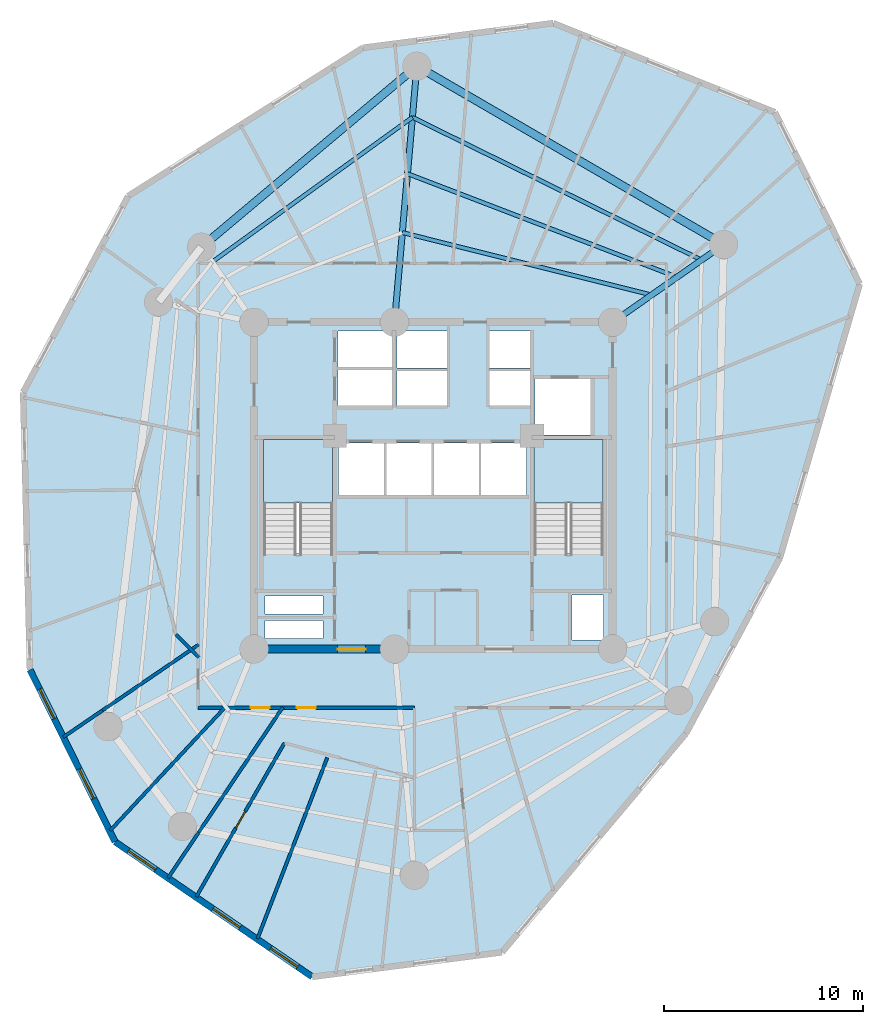
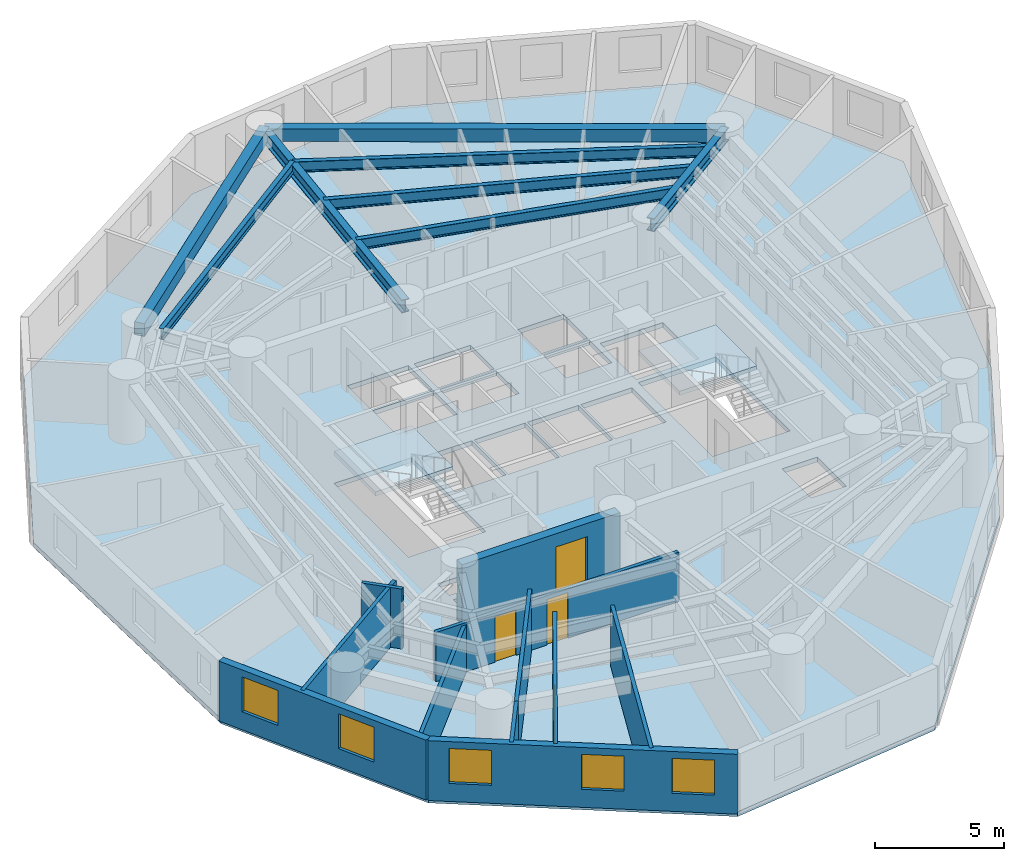
# One storey, part 2 of 8: 12 walls, 8 beams, 5 windows, 4 doors, 3 slabs, 9 openings, 2 elements without a shape of their own.
"""IFC4 building model written with IfcOpenShell, lengths in metres."""

from ifc_helpers import new_model, si_unit, direction, frame, frame_2d, origin, origin_with_axes, origin_2d, place, context, subcontext, project, spatial, polyline, rectangle, i_section, outline, extrude, source, transform, mapped, material, layer, layer_set, material_profile, profile_set, type_object, element, fill, aggregate, save


model = new_model("IFC4")

# Units and contexts
model_context = context("Model", 3, precision=1e-05, world=origin(), true_north=direction((0.0, 1.0)))
body_context = subcontext(model_context, "Body", "Model", "MODEL_VIEW")
ifc_project = project(units=[si_unit("LENGTHUNIT", "METRE"), si_unit("AREAUNIT", "SQUARE_METRE"), si_unit("VOLUMEUNIT", "CUBIC_METRE"), si_unit("PLANEANGLEUNIT", "RADIAN"), si_unit("MASSUNIT", "GRAM", prefix="KILO")], contexts=[model_context])

# Site, building, storey
site_placement = place(None, origin())
site = spatial("IfcSite", under=ifc_project, at=site_placement, CompositionType="ELEMENT")
building_placement = place(site_placement, origin())
building = spatial("IfcBuilding", under=site, at=building_placement, Name="Karkom Vertical University and Central Library", CompositionType="ELEMENT")
storey_placement = place(building_placement, frame((0.0, 0.0, 117.550048828125)))
storey = spatial("IfcBuildingStorey", under=building, at=storey_placement, Name="L32", CompositionType="ELEMENT", Elevation=117.550048828125)

# Beams
ifc_material_1 = material(Name="Precast concrete C45/55", Category="concrete")
ifc_material_profile_1 = material_profile(ifc_material_1, rectangle(XDim=0.39990234375, YDim=0.60009765625, at=origin_2d()), Name="SPB-400x600")
ifc_profile_set_1 = profile_set([ifc_material_profile_1], Name="Precast concrete C45/55")
beam_type_1 = type_object("IfcBeamType", Name="STR-BM-SP-1", PredefinedType="SPANDREL", material=ifc_profile_set_1)
shared_shape_1 = source(origin_with_axes(), body_context, "Body", "SweptSolid", [
    extrude(rectangle(XDim=0.39990234375, YDim=0.60009765625, at=origin_2d()), origin(), (0.0, 0.0, 1.0), 17.808837890625),
])
beam_1_placement = place(storey_placement, frame((43.070068359375, 38.60009765625, 2.52490234375), z_axis=(-0.864512866362, 0.502610688202, 0.0), x_axis=(-0.502610688202, -0.864512866362, 0.0)))
element("IfcBeam", 1, at=beam_1_placement, inside=storey, type_object=beam_type_1, Name="Level 32 Perimeter Spandrel Beam 02", PredefinedType="SPANDREL", context=body_context, shape_type="MappedRepresentation", body=[
    mapped(shared_shape_1, transform((0.0, 0.0, 0.0), scale=1.0)),
])
shared_shape_2 = source(origin_with_axes(), body_context, "Body", "SweptSolid", [
    extrude(rectangle(XDim=0.39990234375, YDim=0.60009765625, at=origin_2d()), origin(), (0.0, 0.0, 1.0), 14.120849609375),
])
beam_2_placement = place(storey_placement, frame((27.674072265625, 47.551025390625, 2.52490234375), z_axis=(-0.765672847866, -0.643230199883, 0.0), x_axis=(0.643230199883, -0.765672847866, 0.0)))
element("IfcBeam", 2, at=beam_2_placement, inside=storey, type_object=beam_type_1, Name="Level 32 Perimeter Spandrel Beam 03", PredefinedType="SPANDREL", context=body_context, shape_type="MappedRepresentation", body=[
    mapped(shared_shape_2, transform((0.0, 0.0, 0.0), scale=1.0)),
])
ifc_material_2 = material(Name="Steel S355", Category="steel")
ifc_material_profile_2 = material_profile(ifc_material_2, i_section(OverallWidth=0.199951171875, OverallDepth=0.5, WebThickness=0.01025390625, FlangeThickness=0.01611328125, FilletRadius=0.02099609375, at=origin_2d()), Name="IPE 500")
ifc_profile_set_2 = profile_set([ifc_material_profile_2], Name="Steel S355")
beam_type_2 = type_object("IfcBeamType", Name="STR-BM-SB-IPE500", PredefinedType="BEAM", material=ifc_profile_set_2)
shared_shape_3 = source(origin_with_axes(), body_context, "Body", "SweptSolid", [
    extrude(i_section(OverallWidth=0.199951171875, OverallDepth=0.5, WebThickness=0.01025390625, FlangeThickness=0.01611328125, FilletRadius=0.02099609375, at=origin_2d()), origin(), (0.0, 0.0, 1.0), 12.892578125),
])
beam_3_placement = place(storey_placement, frame((39.449462890625, 36.06494140625, 2.574951171875), z_axis=(-0.970023194321, 0.243012350468, 0.0), x_axis=(-0.243012350468, -0.970023194321, 0.0)))
element("IfcBeam", 3, at=beam_3_placement, inside=storey, type_object=beam_type_2, Name="Level 32 Secondary Composite Floor Beam 1.02", PredefinedType="BEAM", context=body_context, shape_type="MappedRepresentation", body=[
    mapped(shared_shape_3, transform((0.0, 0.0, 0.0), scale=1.0)),
])
shared_shape_4 = source(origin_with_axes(), body_context, "Body", "SweptSolid", [
    extrude(i_section(OverallWidth=0.199951171875, OverallDepth=0.5, WebThickness=0.01025390625, FlangeThickness=0.01611328125, FilletRadius=0.02099609375, at=origin_2d()), origin(), (0.0, 0.0, 1.0), 14.49072265625),
])
beam_4_placement = place(storey_placement, frame((40.730712890625, 36.9619140625, 2.574951171875), z_axis=(-0.93361673171, 0.35827335691, 0.0), x_axis=(-0.35827335691, -0.93361673171, 0.0)))
element("IfcBeam", 4, at=beam_4_placement, inside=storey, type_object=beam_type_2, Name="Level 32 Secondary Composite Floor Beam 2.02", PredefinedType="BEAM", context=body_context, shape_type="MappedRepresentation", body=[
    mapped(shared_shape_4, transform((0.0, 0.0, 0.0), scale=1.0)),
])
shared_shape_5 = source(origin_with_axes(), body_context, "Body", "SweptSolid", [
    extrude(i_section(OverallWidth=0.199951171875, OverallDepth=0.5, WebThickness=0.01025390625, FlangeThickness=0.01611328125, FilletRadius=0.02099609375, at=origin_2d()), origin(), (0.0, 0.0, 1.0), 16.177978515625),
])
beam_5_placement = place(storey_placement, frame((41.9560546875, 37.820068359375, 2.574951171875), z_axis=(-0.896709262653, 0.442620038263, 0.0), x_axis=(-0.442620038263, -0.896709262653, 0.0)))
element("IfcBeam", 5, at=beam_5_placement, inside=storey, type_object=beam_type_2, Name="Level 32 Secondary Composite Floor Beam 3.02", PredefinedType="BEAM", context=body_context, shape_type="MappedRepresentation", body=[
    mapped(shared_shape_5, transform((0.0, 0.0, 0.0), scale=1.0)),
])
shared_shape_6 = source(origin_with_axes(), body_context, "Body", "SweptSolid", [
    extrude(i_section(OverallWidth=0.199951171875, OverallDepth=0.5, WebThickness=0.01025390625, FlangeThickness=0.01611328125, FilletRadius=0.02099609375, at=origin_2d()), origin(), (0.0, 0.0, 1.0), 12.409423828125),
])
beam_6_placement = place(storey_placement, frame((27.44921875, 44.980712890625, 2.574951171875), z_axis=(-0.810636686292, -0.585549453793, 0.0), x_axis=(0.585549453793, -0.810636686292, 0.0)))
element("IfcBeam", 6, at=beam_6_placement, inside=storey, type_object=beam_type_2, Name="Level 32 Secondary Composite Floor Beam 3.03", PredefinedType="BEAM", context=body_context, shape_type="MappedRepresentation", body=[
    mapped(shared_shape_6, transform((0.0, 0.0, 0.0), scale=1.0)),
])
ifc_material_profile_3 = material_profile(ifc_material_2, i_section(OverallWidth=0.300048828125, OverallDepth=0.60009765625, WebThickness=0.015380859375, FlangeThickness=0.030029296875, FilletRadius=0.027099609375, at=origin_2d()), Name="HE 600 B")
ifc_profile_set_3 = profile_set([ifc_material_profile_3], Name="Steel S355")
beam_type_3 = type_object("IfcBeamType", Name="STR-BM-SB-HE600", PredefinedType="USERDEFINED", material=ifc_profile_set_3)
shared_shape_7 = source(origin_with_axes(), body_context, "Body", "SweptSolid", [
    extrude(i_section(OverallWidth=0.300048828125, OverallDepth=0.60009765625, WebThickness=0.015380859375, FlangeThickness=0.030029296875, FilletRadius=0.027099609375, at=origin_2d()), origin(), (0.0, 0.0, 1.0), 6.7998046875),
])
beam_7_placement = place(storey_placement, frame((37.5, 34.699951171875, 2.52490234375), z_axis=(0.819156008334, 0.573570775066, 0.0), x_axis=(-0.573570775066, 0.819156008334, 0.0)))
element("IfcBeam", 7, at=beam_7_placement, inside=storey, type_object=beam_type_3, Name="Level 32 Radial Frame Girder 02", ObjectType="GIRDER", PredefinedType="USERDEFINED", context=body_context, shape_type="MappedRepresentation", body=[
    mapped(shared_shape_7, transform((0.0, 0.0, 0.0), scale=1.0)),
])
shared_shape_8 = source(origin_with_axes(), body_context, "Body", "SweptSolid", [
    extrude(i_section(OverallWidth=0.300048828125, OverallDepth=0.60009765625, WebThickness=0.015380859375, FlangeThickness=0.030029296875, FilletRadius=0.027099609375, at=origin_2d()), origin(), (0.0, 0.0, 1.0), 12.900146484375),
])
beam_8_placement = place(storey_placement, frame((26.550048828125, 34.699951171875, 2.52490234375), z_axis=(0.087132673751, 0.996196716098, 0.0), x_axis=(-0.996196716098, 0.087132673751, 0.0)))
element("IfcBeam", 8, at=beam_8_placement, inside=storey, type_object=beam_type_3, Name="Level 32 Radial Frame Girder 03", ObjectType="GIRDER", PredefinedType="USERDEFINED", context=body_context, shape_type="MappedRepresentation", body=[
    mapped(shared_shape_8, transform((0.0, 0.0, 0.0), scale=1.0)),
])

# Stair, slab
ifc_material_3 = material(Name="Concrete C45/55", Category="concrete")
stair_type = type_object("IfcStairType", Name="INT-STR-ST-MAIN", PredefinedType="HALF_TURN_STAIR", material=ifc_material_3)
stair_1_placement = place(storey_placement, origin())
stair_1 = element("IfcStair", 9, at=stair_1_placement, inside=storey, type_object=stair_type, Name="Level 32 Tower Protected Exit Stair ST-1", PredefinedType="HALF_TURN_STAIR")
ifc_layer_1 = layer(ifc_material_3, 0.199951171875)
ifc_layer_set_1 = layer_set([ifc_layer_1], Name="Concrete C45/55")
slab_type_1 = type_object("IfcSlabType", Name="INT-SLB-LANDING", PredefinedType="LANDING", material=ifc_layer_set_1)
slab_1_placement = place(storey_placement, frame((0.0, 0.0, 1.324951171875)))
slab_1 = element("IfcSlab", 10, at=slab_1_placement, type_object=slab_type_1, Name="ST-1 landing 1", PredefinedType="LANDING", context=body_context, shape_type="SweptSolid", body=[
    extrude(outline(polyline([(23.43994140625, 25.6298828125), (23.43994140625, 28.820068359375), (19.97998046875, 28.820068359375), (19.97998046875, 25.6298828125), (23.43994140625, 25.6298828125)])), origin(), (0.0, 0.0, 1.0), 0.199951171875),
])
aggregate(stair_1, [slab_1])

stair_2_placement = place(storey_placement, origin())
stair_2 = element("IfcStair", 11, at=stair_2_placement, inside=storey, type_object=stair_type, Name="Level 32 Tower Protected Exit Stair ST-2", PredefinedType="HALF_TURN_STAIR")
slab_2_placement = place(storey_placement, frame((0.0, 0.0, 1.324951171875)))
slab_2 = element("IfcSlab", 12, at=slab_2_placement, type_object=slab_type_1, Name="ST-2 landing 1", PredefinedType="LANDING", context=body_context, shape_type="SweptSolid", body=[
    extrude(outline(polyline([(37.02001953125, 25.6298828125), (37.02001953125, 28.820068359375), (33.56005859375, 28.820068359375), (33.56005859375, 25.6298828125), (37.02001953125, 25.6298828125)])), origin(), (0.0, 0.0, 1.0), 0.199951171875),
])
aggregate(stair_2, [slab_2])

# Slab
ifc_layer_2 = layer(ifc_material_3, 0.22509765625)
ifc_layer_set_2 = layer_set([ifc_layer_2], Name="Concrete C45/55")
slab_type_2 = type_object("IfcSlabType", Name="STR-SLB-FLR-225", PredefinedType="FLOOR", material=ifc_layer_set_2)
slab_3_placement = place(storey_placement, frame((0.0, 0.0, -0.22509765625)))
element("IfcSlab", 13, at=slab_3_placement, inside=storey, type_object=slab_type_2, Name="Level 32 Tower Structural Floor Slab", PredefinedType="FLOOR", context=body_context, shape_type="SweptSolid", body=[
    extrude(outline(polyline([(13.1875, 41.02978515625), (7.91748046875, 31.1845703125), (8.2587890625, 17.2568359375), (12.524658203125, 8.626708984375), (22.416748046875, 1.85009765625), (31.943603515625, 3.08349609375), (41.175048828125, 14.060791015625), (45.88037109375, 22.850830078125), (49.8955078125, 36.6201171875), (45.638916015625, 45.23193359375), (34.513916015625, 49.705810546875), (24.966796875, 48.469482421875), (13.1875, 41.02978515625)]), holes=[polyline([(19.97998046875, 23.0849609375), (23.43994140625, 23.0849609375), (23.43994140625, 28.820068359375), (19.97998046875, 28.820068359375), (19.97998046875, 23.0849609375)]), polyline([(33.56005859375, 23.0849609375), (37.02001953125, 23.0849609375), (37.02001953125, 28.820068359375), (33.56005859375, 28.820068359375), (33.56005859375, 23.0849609375)]), polyline([(23.75, 26.0), (26.030029296875, 26.0), (26.030029296875, 28.64990234375), (23.75, 28.64990234375), (23.75, 26.0)]), polyline([(26.1298828125, 26.0), (28.409912109375, 26.0), (28.409912109375, 28.64990234375), (26.1298828125, 28.64990234375), (26.1298828125, 26.0)]), polyline([(28.510009765625, 26.0), (30.7900390625, 26.0), (30.7900390625, 28.64990234375), (28.510009765625, 28.64990234375), (28.510009765625, 26.0)]), polyline([(30.889892578125, 26.0), (33.169921875, 26.0), (33.169921875, 28.64990234375), (30.889892578125, 28.64990234375), (30.889892578125, 26.0)]), polyline([(26.679931640625, 30.5), (29.199951171875, 30.5), (29.199951171875, 32.25), (26.679931640625, 32.25), (26.679931640625, 30.5)]), polyline([(26.679931640625, 32.39990234375), (29.199951171875, 32.39990234375), (29.199951171875, 34.25), (26.679931640625, 34.25), (26.679931640625, 32.39990234375)]), polyline([(31.300048828125, 30.5), (33.35009765625, 30.5), (33.35009765625, 32.25), (31.300048828125, 32.25), (31.300048828125, 30.5)]), polyline([(31.300048828125, 32.39990234375), (33.35009765625, 32.39990234375), (33.35009765625, 34.25), (31.300048828125, 34.25), (31.300048828125, 32.39990234375)]), polyline([(23.719970703125, 30.47998046875), (26.429931640625, 30.47998046875), (26.429931640625, 32.320068359375), (23.719970703125, 32.320068359375), (23.719970703125, 30.47998046875)]), polyline([(23.719970703125, 32.419921875), (26.429931640625, 32.419921875), (26.429931640625, 34.260009765625), (23.719970703125, 34.260009765625), (23.719970703125, 32.419921875)]), polyline([(33.60009765625, 29.050048828125), (36.39990234375, 29.050048828125), (36.39990234375, 31.85009765625), (33.60009765625, 31.85009765625), (33.60009765625, 29.050048828125)]), polyline([(20.050048828125, 18.820068359375), (22.949951171875, 18.820068359375), (22.949951171875, 19.719970703125), (20.050048828125, 19.719970703125), (20.050048828125, 18.820068359375)]), polyline([(20.050048828125, 20.06005859375), (22.949951171875, 20.06005859375), (22.949951171875, 20.9599609375), (20.050048828125, 20.9599609375), (20.050048828125, 20.06005859375)]), polyline([(35.4599609375, 18.760009765625), (37.0400390625, 18.760009765625), (37.0400390625, 21.010009765625), (35.4599609375, 21.010009765625), (35.4599609375, 18.760009765625)])]), origin(), (0.0, 0.0, 1.0), 0.22509765625),
])

# Wall, openings, windows
ifc_material_4 = material(Name="Brick-faced precast concrete C45/55", Category="masonry")
ifc_layer_3 = layer(ifc_material_4, 0.320068359375)
ifc_layer_set_3 = layer_set([ifc_layer_3], Name="Brick-faced precast concrete C45/55")
wall_type_1 = type_object("IfcWallType", Name="ENV-WL-BRK-320", PredefinedType="SOLIDWALL", material=ifc_layer_set_3)
wall_1_placement = place(storey_placement, frame((8.2587890625, 17.2568359375, 0.0), z_axis=(0.0, 0.0, 1.0), x_axis=(0.443120840908, -0.896461890073, 0.0)))
wall_1 = element("IfcWall", 14, at=wall_1_placement, inside=storey, type_object=wall_type_1, Name="Level 32 Brick-Faced Precast Facade Wall 03", PredefinedType="SOLIDWALL", context=body_context, shape_type="SweptSolid", body=[
    extrude(rectangle(XDim=9.626953125, YDim=0.320068359375, at=frame_2d((4.8134765625, 0.0))), origin(), (0.0, 0.0, 1.0), 2.824951171875),
])
opening_1_placement = place(wall_1_placement, frame((1.08544921875, 0.0, 0.85009765625)))
opening_1 = element("IfcOpeningElement", 15, at=opening_1_placement, cuts=wall_1, Name="Opening WN-06", PredefinedType="OPENING", context=body_context, shape_type="SweptSolid", body=[
    extrude(rectangle(XDim=1.64990234375, YDim=1.64990234375, at=frame_2d((0.824951171875, 0.824951171875))), frame((0.0, 0.169921875, 0.0), z_axis=(0.0, -1.0, 0.0), x_axis=(1.0, 0.0, 0.0)), (0.0, 0.0, 1.0), 0.340087890625),
])
opening_2_placement = place(wall_1_placement, frame((5.55712890625, 0.0, 0.85009765625)))
opening_2 = element("IfcOpeningElement", 16, at=opening_2_placement, cuts=wall_1, Name="Opening WN-06", PredefinedType="OPENING", context=body_context, shape_type="SweptSolid", body=[
    extrude(rectangle(XDim=1.64990234375, YDim=1.64990234375, at=frame_2d((0.824951171875, 0.824951171875))), frame((0.0, 0.169921875, 0.0), z_axis=(0.0, -1.0, 0.0), x_axis=(1.0, 0.0, 0.0)), (0.0, 0.0, 1.0), 0.340087890625),
])
ifc_material_5 = material(Name="Aluminium thermal-break frame with solar-control IGU", Category="aluminium")
window_type = type_object("IfcWindowType", Name="ENV-WIN-WN-06", PartitioningType="SINGLE_PANEL", PredefinedType="WINDOW", material=ifc_material_5)
shared_shape_9 = source(origin_with_axes(), body_context, "Body", "SweptSolid", [
    extrude(rectangle(XDim=1.64990234375, YDim=1.64990234375, at=frame_2d((0.824951171875, 0.824951171875))), frame((0.0, 0.030029296875, 0.0), z_axis=(0.0, -1.0, 0.0), x_axis=(1.0, 0.0, 0.0)), (0.0, 0.0, 1.0), 0.06005859375),
])
window_1_placement = place(opening_1_placement, origin())
window_1 = element("IfcWindow", 17, at=window_1_placement, inside=storey, type_object=window_type, Name="Level 32 Punched Window 3.1", OverallHeight=1.64990234375, OverallWidth=1.64990234375, PartitioningType="SINGLE_PANEL", PredefinedType="WINDOW", context=body_context, shape_type="MappedRepresentation", body=[
    mapped(shared_shape_9, transform((0.0, 0.0, 0.0), scale=1.0)),
])
fill(opening_1, window_1)
window_2_placement = place(opening_2_placement, origin())
window_2 = element("IfcWindow", 18, at=window_2_placement, inside=storey, type_object=window_type, Name="Level 32 Punched Window 3.2", OverallHeight=1.64990234375, OverallWidth=1.64990234375, PartitioningType="SINGLE_PANEL", PredefinedType="WINDOW", context=body_context, shape_type="MappedRepresentation", body=[
    mapped(shared_shape_9, transform((0.0, 0.0, 0.0), scale=1.0)),
])
fill(opening_2, window_2)

wall_2_placement = place(storey_placement, frame((12.524658203125, 8.626708984375, 0.0), z_axis=(0.0, 0.0, 1.0), x_axis=(0.824983002795, -0.565157540071, 0.0)))
wall_2 = element("IfcWall", 19, at=wall_2_placement, inside=storey, type_object=wall_type_1, Name="Level 32 Brick-Faced Precast Facade Wall 04", PredefinedType="SOLIDWALL", context=body_context, shape_type="SweptSolid", body=[
    extrude(rectangle(XDim=11.99072265625, YDim=0.320068359375, at=frame_2d((5.995361328125, 0.0))), origin(), (0.0, 0.0, 1.0), 2.824951171875),
])
opening_3_placement = place(wall_2_placement, frame((0.8154296875, 0.0, 0.85009765625)))
opening_3 = element("IfcOpeningElement", 20, at=opening_3_placement, cuts=wall_2, Name="Opening WN-06", PredefinedType="OPENING", context=body_context, shape_type="SweptSolid", body=[
    extrude(rectangle(XDim=1.64990234375, YDim=1.64990234375, at=frame_2d((0.824951171875, 0.824951171875))), frame((0.0, 0.169921875, 0.0), z_axis=(0.0, -1.0, 0.0), x_axis=(1.0, 0.0, 0.0)), (0.0, 0.0, 1.0), 0.340087890625),
])
opening_4_placement = place(wall_2_placement, frame((5.956298828125, 0.0, 0.85009765625)))
opening_4 = element("IfcOpeningElement", 21, at=opening_4_placement, cuts=wall_2, Name="Opening WN-06", PredefinedType="OPENING", context=body_context, shape_type="SweptSolid", body=[
    extrude(rectangle(XDim=1.64990234375, YDim=1.64990234375, at=frame_2d((0.824951171875, 0.824951171875))), frame((0.0, 0.169921875, 0.0), z_axis=(0.0, -1.0, 0.0), x_axis=(1.0, 0.0, 0.0)), (0.0, 0.0, 1.0), 0.340087890625),
])
opening_5_placement = place(wall_2_placement, frame((9.460205078125, 0.0, 0.85009765625)))
opening_5 = element("IfcOpeningElement", 22, at=opening_5_placement, cuts=wall_2, Name="Opening WN-06", PredefinedType="OPENING", context=body_context, shape_type="SweptSolid", body=[
    extrude(rectangle(XDim=1.64990234375, YDim=1.64990234375, at=frame_2d((0.824951171875, 0.824951171875))), frame((0.0, 0.169921875, 0.0), z_axis=(0.0, -1.0, 0.0), x_axis=(1.0, 0.0, 0.0)), (0.0, 0.0, 1.0), 0.340087890625),
])
window_3_placement = place(opening_3_placement, origin())
window_3 = element("IfcWindow", 23, at=window_3_placement, inside=storey, type_object=window_type, Name="Level 32 Punched Window 4.1", OverallHeight=1.64990234375, OverallWidth=1.64990234375, PartitioningType="SINGLE_PANEL", PredefinedType="WINDOW", context=body_context, shape_type="MappedRepresentation", body=[
    mapped(shared_shape_9, transform((0.0, 0.0, 0.0), scale=1.0)),
])
fill(opening_3, window_3)
window_4_placement = place(opening_4_placement, origin())
window_4 = element("IfcWindow", 24, at=window_4_placement, inside=storey, type_object=window_type, Name="Level 32 Punched Window 4.2", OverallHeight=1.64990234375, OverallWidth=1.64990234375, PartitioningType="SINGLE_PANEL", PredefinedType="WINDOW", context=body_context, shape_type="MappedRepresentation", body=[
    mapped(shared_shape_9, transform((0.0, 0.0, 0.0), scale=1.0)),
])
fill(opening_4, window_4)
window_5_placement = place(opening_5_placement, origin())
window_5 = element("IfcWindow", 25, at=window_5_placement, inside=storey, type_object=window_type, Name="Level 32 Punched Window 4.3", OverallHeight=1.64990234375, OverallWidth=1.64990234375, PartitioningType="SINGLE_PANEL", PredefinedType="WINDOW", context=body_context, shape_type="MappedRepresentation", body=[
    mapped(shared_shape_9, transform((0.0, 0.0, 0.0), scale=1.0)),
])
fill(opening_5, window_5)

# Wall, openings, doors
ifc_material_6 = material(Name="Insulated metal-stud drywall 160mm", Category="gypsum")
ifc_layer_4 = layer(ifc_material_6, 0.159912109375)
ifc_layer_set_4 = layer_set([ifc_layer_4], Name="Insulated metal-stud drywall 160mm")
wall_type_2 = type_object("IfcWallType", Name="INT-WL-COR-160", PredefinedType="PARTITIONING", material=ifc_layer_set_4)
wall_3_placement = place(storey_placement, frame((27.550048828125, 15.35009765625, 0.0), z_axis=(0.0, 0.0, 1.0), x_axis=(-1.0, 0.0, 0.0)))
wall_3 = element("IfcWall", 26, at=wall_3_placement, inside=storey, type_object=wall_type_2, Name="Level 32 Interior Partition Wall L32-CORW-CW-001", PredefinedType="PARTITIONING", context=body_context, shape_type="SweptSolid", body=[
    extrude(rectangle(XDim=10.85009765625, YDim=0.159912109375, at=frame_2d((5.425048828125, 0.0))), origin(), (0.0, 0.0, 1.0), 2.324951171875),
])
opening_6_placement = place(wall_3_placement, frame((7.267578125, 0.0, 0.0)))
opening_6 = element("IfcOpeningElement", 27, at=opening_6_placement, cuts=wall_3, Name="Opening D-RM1", PredefinedType="OPENING", context=body_context, shape_type="SweptSolid", body=[
    extrude(rectangle(XDim=0.949951171875, YDim=2.14990234375, at=frame_2d((0.47509765625, 1.074951171875))), frame((0.0, 0.08984375, 0.0), z_axis=(0.0, -1.0, 0.0), x_axis=(1.0, 0.0, 0.0)), (0.0, 0.0, 1.0), 0.179931640625),
])
opening_7_placement = place(wall_3_placement, frame((4.949951171875, 0.0, 0.0)))
opening_7 = element("IfcOpeningElement", 28, at=opening_7_placement, cuts=wall_3, Name="Opening D-RM1", PredefinedType="OPENING", context=body_context, shape_type="SweptSolid", body=[
    extrude(rectangle(XDim=0.949951171875, YDim=2.14990234375, at=frame_2d((0.47509765625, 1.074951171875))), frame((0.0, 0.08984375, 0.0), z_axis=(0.0, -1.0, 0.0), x_axis=(1.0, 0.0, 0.0)), (0.0, 0.0, 1.0), 0.179931640625),
])
ifc_material_7 = material(Name="Solid-core oak veneer door", Category="wood")
door_type_1 = type_object("IfcDoorType", Name="INT-DR-RM1", OperationType="NOTDEFINED", PredefinedType="DOOR", material=ifc_material_7)
shared_shape_10 = source(origin_with_axes(), body_context, "Body", "SweptSolid", [
    extrude(rectangle(XDim=0.949951171875, YDim=2.14990234375, at=frame_2d((0.47509765625, 1.074951171875))), frame((0.0, 0.02490234375, 0.0), z_axis=(0.0, -1.0, 0.0), x_axis=(1.0, 0.0, 0.0)), (0.0, 0.0, 1.0), 0.050048828125),
])
door_1_placement = place(opening_6_placement, origin())
door_1 = element("IfcDoor", 29, at=door_1_placement, inside=storey, type_object=door_type_1, Name="Level 32 Room Entry Door 040", OperationType="SINGLE_SWING_LEFT", OverallHeight=2.14990234375, OverallWidth=0.949951171875, PredefinedType="DOOR", context=body_context, shape_type="MappedRepresentation", body=[
    mapped(shared_shape_10, transform((0.0, 0.0, 0.0), scale=1.0)),
])
fill(opening_6, door_1)
door_2_placement = place(opening_7_placement, origin())
door_2 = element("IfcDoor", 30, at=door_2_placement, inside=storey, type_object=door_type_1, Name="Level 32 Room Entry Door 050", OperationType="SINGLE_SWING_RIGHT", OverallHeight=2.14990234375, OverallWidth=0.949951171875, PredefinedType="DOOR", context=body_context, shape_type="MappedRepresentation", body=[
    mapped(shared_shape_10, transform((0.0, 0.0, 0.0), scale=1.0)),
])
fill(opening_7, door_2)

# Wall
wall_4_placement = place(storey_placement, frame((23.173583984375, 12.844482421875, 0.0), z_axis=(0.0, 0.0, 1.0), x_axis=(-0.359563891754, -0.933120467971, 0.0)))
element("IfcWall", 31, at=wall_4_placement, inside=storey, type_object=wall_type_2, Name="Level 32 Interior Partition Wall L32-PW-015", PredefinedType="PARTITIONING", context=body_context, shape_type="SweptSolid", body=[
    extrude(rectangle(XDim=9.734130859375, YDim=0.159912109375, at=frame_2d((4.8671875, 0.0))), origin(), (0.0, 0.0, 1.0), 2.824951171875),
])

# Wall, opening, door
wall_5_placement = place(storey_placement, frame((21.0283203125, 13.5849609375, 0.0), z_axis=(0.0, 0.0, 1.0), x_axis=(-0.497264087077, -0.867599232194, 0.0)))
wall_5 = element("IfcWall", 32, at=wall_5_placement, inside=storey, type_object=wall_type_2, Name="Level 32 Interior Partition Wall L32-PW-012", PredefinedType="PARTITIONING", context=body_context, shape_type="SweptSolid", body=[
    extrude(rectangle(XDim=8.899658203125, YDim=0.159912109375, at=frame_2d((4.44970703125, 0.0))), origin(), (0.0, 0.0, 1.0), 2.824951171875),
])
opening_8_placement = place(wall_5_placement, frame((3.95751953125, 0.0, 0.0)))
opening_8 = element("IfcOpeningElement", 33, at=opening_8_placement, cuts=wall_5, Name="Opening D-RM1", PredefinedType="OPENING", context=body_context, shape_type="SweptSolid", body=[
    extrude(rectangle(XDim=0.949951171875, YDim=2.14990234375, at=frame_2d((0.47509765625, 1.074951171875))), frame((0.0, 0.08984375, 0.0), z_axis=(0.0, -1.0, 0.0), x_axis=(1.0, 0.0, 0.0)), (0.0, 0.0, 1.0), 0.179931640625),
])
door_3_placement = place(opening_8_placement, origin())
door_3 = element("IfcDoor", 34, at=door_3_placement, inside=storey, type_object=door_type_1, Name="Level 32 Room Entry Door 060", OperationType="SINGLE_SWING_LEFT", OverallHeight=2.14990234375, OverallWidth=0.949951171875, PredefinedType="DOOR", context=body_context, shape_type="MappedRepresentation", body=[
    mapped(shared_shape_10, transform((0.0, 0.0, 0.0), scale=1.0)),
])
fill(opening_8, door_3)

# Walls
wall_6_placement = place(storey_placement, frame((18.054931640625, 15.3828125, 0.0), z_axis=(0.0, 0.0, 1.0), x_axis=(-0.6818672514, -0.731475940458, 0.0)))
element("IfcWall", 35, at=wall_6_placement, inside=storey, type_object=wall_type_2, Name="Level 32 Interior Partition Wall L32-PW-009", PredefinedType="PARTITIONING", context=body_context, shape_type="SweptSolid", body=[
    extrude(rectangle(XDim=8.4697265625, YDim=0.159912109375, at=frame_2d((4.23486328125, 0.0))), origin(), (0.0, 0.0, 1.0), 2.224853515625),
])
wall_7_placement = place(storey_placement, frame((20.95361328125, 15.38720703125, 0.0), z_axis=(0.0, 0.0, 1.0), x_axis=(-0.558085558464, -0.829783411159, 0.0)))
element("IfcWall", 36, at=wall_7_placement, inside=storey, type_object=wall_type_2, Name="Level 32 Interior Partition Wall L32-PW-011", PredefinedType="PARTITIONING", context=body_context, shape_type="SweptSolid", body=[
    extrude(rectangle(XDim=7.57861328125, YDim=0.159912109375, at=frame_2d((3.789306640625, 0.0))), origin(), (0.0, 0.0, 1.0), 2.824951171875),
])
wall_8_placement = place(storey_placement, frame((16.724853515625, 18.52294921875, 0.0), z_axis=(0.0, 0.0, 1.0), x_axis=(-0.825538633176, -0.564345607881, 0.0)))
element("IfcWall", 37, at=wall_8_placement, inside=storey, type_object=wall_type_2, Name="Level 32 Interior Partition Wall L32-PW-008", PredefinedType="PARTITIONING", context=body_context, shape_type="SweptSolid", body=[
    extrude(rectangle(XDim=5.84765625, YDim=0.159912109375, at=frame_2d((2.923828125, 0.0))), origin(), (0.0, 0.0, 1.0), 2.824951171875),
])
wall_9_placement = place(storey_placement, frame((16.72119140625, 9.094482421875, 0.0), z_axis=(0.0, 0.0, 1.0), x_axis=(-0.558054489586, -0.829804306239, 0.0)))
element("IfcWall", 38, at=wall_9_placement, inside=storey, type_object=wall_type_2, Name="Level 32 Interior Partition Wall L32-PW-010", PredefinedType="PARTITIONING", context=body_context, shape_type="SweptSolid", body=[
    extrude(rectangle(XDim=2.7509765625, YDim=0.159912109375, at=frame_2d((1.37548828125, 0.0))), origin(), (0.0, 0.0, 1.0), 2.824951171875),
])
wall_10_placement = place(storey_placement, frame((11.893310546875, 15.22021484375, 0.0), z_axis=(0.0, 0.0, 1.0), x_axis=(-0.825486002582, -0.564422589503, 0.0)))
element("IfcWall", 39, at=wall_10_placement, inside=storey, type_object=wall_type_2, Name="Level 32 Interior Partition Wall L32-PW-007", PredefinedType="PARTITIONING", context=body_context, shape_type="SweptSolid", body=[
    extrude(rectangle(XDim=2.378173828125, YDim=0.159912109375, at=frame_2d((1.18896484375, 0.0))), origin(), (0.0, 0.0, 1.0), 2.824951171875),
])
wall_11_placement = place(storey_placement, frame((16.731689453125, 17.890869140625, 0.0), z_axis=(0.0, 0.0, 1.0), x_axis=(-0.707031752615, 0.707181801798, 0.0)))
element("IfcWall", 40, at=wall_11_placement, inside=storey, type_object=wall_type_2, Name="Level 32 Interior Partition Wall L32-PW-002", PredefinedType="PARTITIONING", context=body_context, shape_type="SweptSolid", body=[
    extrude(rectangle(XDim=1.626953125, YDim=0.159912109375, at=frame_2d((0.8134765625, 0.0))), origin(), (0.0, 0.0, 1.0), 2.824951171875),
])

# Wall, opening, door
ifc_material_8 = material(Name="Concrete C50/60", Category="concrete")
ifc_layer_5 = layer(ifc_material_8, 0.39990234375)
ifc_layer_set_5 = layer_set([ifc_layer_5], Name="Concrete C50/60")
wall_type_3 = type_object("IfcWallType", Name="STR-WL-CW-400", PredefinedType="SHEAR", material=ifc_layer_set_5)
wall_12_placement = place(storey_placement, frame((19.5, 18.300048828125, 0.0), z_axis=(0.0, 0.0, 1.0), x_axis=(1.0, 0.0, 0.0)))
wall_12 = element("IfcWall", 41, at=wall_12_placement, inside=storey, type_object=wall_type_3, Name="Level 32 Central Core Shear Wall SW1", PredefinedType="SHEAR", context=body_context, shape_type="SweptSolid", body=[
    extrude(rectangle(XDim=7.050048828125, YDim=0.39990234375, at=frame_2d((3.52490234375, 0.0))), origin(), (0.0, 0.0, 1.0), 2.824951171875),
])
opening_9_placement = place(wall_12_placement, frame((4.199951171875, 0.0, 0.0)))
opening_9 = element("IfcOpeningElement", 42, at=opening_9_placement, cuts=wall_12, Name="Opening FD-CLB", PredefinedType="OPENING", context=body_context, shape_type="SweptSolid", body=[
    extrude(rectangle(XDim=1.39990234375, YDim=2.199951171875, at=frame_2d((0.699951171875, 1.10009765625))), frame((0.0, 0.2099609375, 0.0), z_axis=(0.0, -1.0, 0.0), x_axis=(1.0, 0.0, 0.0)), (0.0, 0.0, 1.0), 0.419921875),
])
ifc_material_9 = material(Name="Painted steel fire door", Category="steel")
door_type_2 = type_object("IfcDoorType", Name="INT-DR-CLB", OperationType="DOUBLE_DOOR_SINGLE_SWING", PredefinedType="DOOR", material=ifc_material_9)
shared_shape_11 = source(origin_with_axes(), body_context, "Body", "SweptSolid", [
    extrude(rectangle(XDim=1.39990234375, YDim=2.199951171875, at=frame_2d((0.699951171875, 1.10009765625))), frame((0.0, 0.02490234375, 0.0), z_axis=(0.0, -1.0, 0.0), x_axis=(1.0, 0.0, 0.0)), (0.0, 0.0, 1.0), 0.050048828125),
])
door_4_placement = place(opening_9_placement, origin())
door_4 = element("IfcDoor", 43, at=door_4_placement, inside=storey, type_object=door_type_2, Name="Level 32 South Core Lobby West Exit Door", OperationType="DOUBLE_DOOR_SINGLE_SWING", OverallHeight=2.199951171875, OverallWidth=1.39990234375, PredefinedType="DOOR", context=body_context, shape_type="MappedRepresentation", body=[
    mapped(shared_shape_11, transform((0.0, 0.0, 0.0), scale=1.0)),
])
fill(opening_9, door_4)

save(model, "model.ifc")
